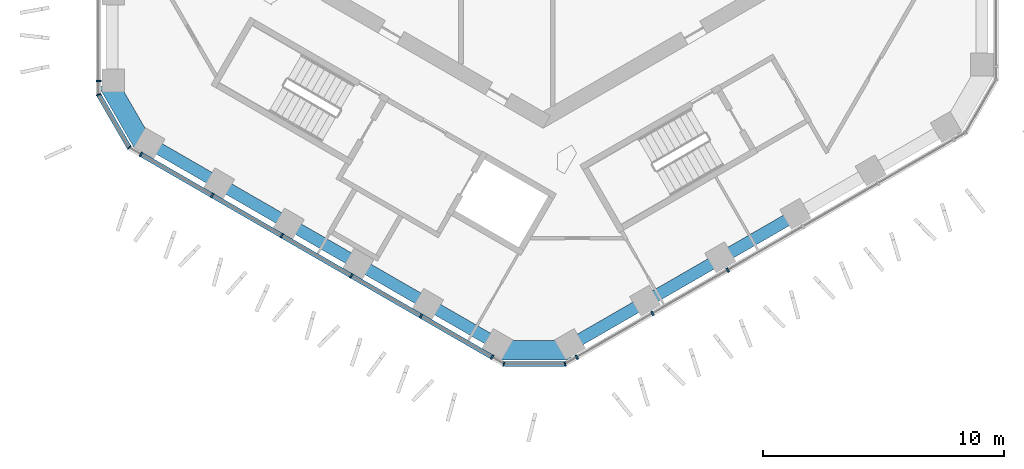
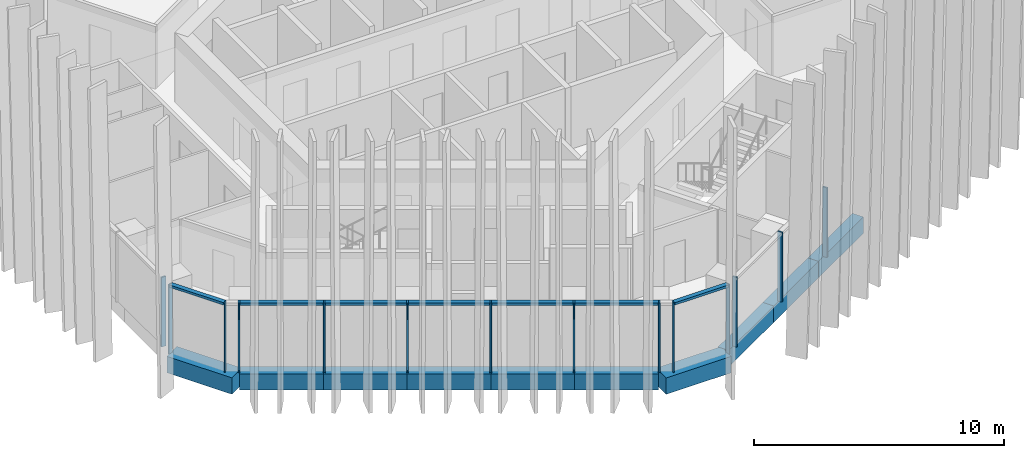
# One storey, part 2 of 21: 17 members, 10 beams, 5 elements without a shape of their own.
"""IFC4 building model written with IfcOpenShell, lengths in metres."""

from ifc_helpers import new_model, si_unit, direction, frame, origin, origin_2d, place, context, subcontext, project, spatial, rectangle, extrude, material, layer, layer_set, material_profile, profile_set, type_object, element, aggregate, save


model = new_model("IFC4")

# Units and contexts
model_context = context("Model", 3, precision=1e-05, world=origin(), true_north=direction((0.0, 1.0)))
body_context = subcontext(model_context, "Body", "Model", "MODEL_VIEW")
ifc_project = project(units=[si_unit("LENGTHUNIT", "METRE"), si_unit("AREAUNIT", "SQUARE_METRE"), si_unit("VOLUMEUNIT", "CUBIC_METRE"), si_unit("PLANEANGLEUNIT", "RADIAN"), si_unit("MASSUNIT", "GRAM", prefix="KILO")], contexts=[model_context])

# Site, building, storey
site_placement = place(None, origin())
site = spatial("IfcSite", under=ifc_project, at=site_placement, CompositionType="ELEMENT")
building_placement = place(site_placement, origin())
building = spatial("IfcBuilding", under=site, at=building_placement, Name="Ayvan Gate Tower", CompositionType="ELEMENT")
storey_placement = place(building_placement, frame((0.0, 0.0, 173.10009765625)))
storey = spatial("IfcBuildingStorey", under=building, at=storey_placement, Name="L46", CompositionType="ELEMENT", Elevation=173.10009765625)

# Beams
ifc_material_1 = material(Name="Concrete C40/50", Category="concrete")
ifc_material_profile_1 = material_profile(ifc_material_1, rectangle(XDim=0.800048828125, YDim=0.800048828125, at=origin_2d()), Name="RC 800x800")
ifc_profile_set_1 = profile_set([ifc_material_profile_1], Name="Concrete C40/50")
beam_type_1 = type_object("IfcBeamType", Name="Corner spandrel beam RC 800x800 C40/50", PredefinedType="BEAM", material=ifc_profile_set_1)
for number, where, z_axis, x_axis, name in (
    (1, (-18.0341796875, -9.075927734375, -0.75), (0.499990139034, -0.866031096941, 0.0), (0.866031096941, 0.499990139034, 0.0), "SB-L46-24"),
    (2, (-1.843017578125, -20.156005859375, -0.75), (1.0, 0.0, 0.0), (0.0, 1.0, 0.0), "SB-L46-30"),
):
    element("IfcBeam", number, at=place(storey_placement, frame(where, z_axis=z_axis, x_axis=x_axis)), inside=storey, type_object=beam_type_1, Name=name, PredefinedType="BEAM", context=body_context, shape_type="SweptSolid", body=[
        extrude(rectangle(XDim=0.800048828125, YDim=0.800048828125, at=origin_2d()), origin(), (0.0, 0.0, 1.0), 3.0),
    ])
ifc_material_profile_2 = material_profile(ifc_material_1, rectangle(XDim=0.5, YDim=0.800048828125, at=origin_2d()), Name="RC 500x800")
ifc_profile_set_2 = profile_set([ifc_material_profile_2], Name="Concrete C40/50")
beam_type_2 = type_object("IfcBeamType", Name="Spandrel beam RC 500x800 C40/50", PredefinedType="BEAM", material=ifc_profile_set_2)
for number, where, z_axis, x_axis, name in (
    (3, (-16.343505859375, -11.56396484375, -0.75), (0.866004689915, -0.500035875758, 0.0), (0.500035875758, 0.866004689915, 0.0), "SB-L46-25"),
    (4, (-13.443359375, -13.238525390625, -0.75), (0.866036258409, -0.499981198768, 0.0), (0.499981198768, 0.866036258409, 0.0), "SB-L46-26"),
):
    element("IfcBeam", number, at=place(storey_placement, frame(where, z_axis=z_axis, x_axis=x_axis)), inside=storey, type_object=beam_type_2, Name=name, PredefinedType="BEAM", context=body_context, shape_type="SweptSolid", body=[
        extrude(rectangle(XDim=0.5, YDim=0.800048828125, at=origin_2d()), origin(), (0.0, 0.0, 1.0), 3.348876953125),
    ])
beam_1_placement = place(storey_placement, frame((-10.543212890625, -14.912841796875, -0.75), z_axis=(0.86601803185, -0.500012768347, 0.0), x_axis=(0.500012768347, 0.86601803185, 0.0)))
element("IfcBeam", 5, at=beam_1_placement, inside=storey, type_object=beam_type_2, Name="SB-L46-27", PredefinedType="BEAM", context=body_context, shape_type="SweptSolid", body=[
    extrude(rectangle(XDim=0.5, YDim=0.800048828125, at=origin_2d()), origin(), (0.0, 0.0, 1.0), 3.3486328125),
])
for number, where, z_axis, x_axis, name in (
    (6, (-7.643310546875, -16.587158203125, -0.75), (0.866036258409, -0.499981198768, 0.0), (0.499981198768, 0.866036258409, 0.0), "SB-L46-28"),
    (7, (-4.7431640625, -18.261474609375, -0.75), (0.866004689915, -0.500035875758, 0.0), (0.500035875758, 0.866004689915, 0.0), "SB-L46-29"),
):
    element("IfcBeam", number, at=place(storey_placement, frame(where, z_axis=z_axis, x_axis=x_axis)), inside=storey, type_object=beam_type_2, Name=name, PredefinedType="BEAM", context=body_context, shape_type="SweptSolid", body=[
        extrude(rectangle(XDim=0.5, YDim=0.800048828125, at=origin_2d()), origin(), (0.0, 0.0, 1.0), 3.348876953125),
    ])
for number, where, z_axis, x_axis, name in (
    (8, (1.156982421875, -19.93603515625, -0.75), (0.866026881282, 0.499997440891, 0.0), (-0.499997440891, 0.866026881282, 0.0), "SB-L46-31"),
    (9, (4.262939453125, -18.142822265625, -0.75), (0.866026881282, 0.499997440891, 0.0), (-0.499997440891, 0.866026881282, 0.0), "SB-L46-32"),
):
    element("IfcBeam", number, at=place(storey_placement, frame(where, z_axis=z_axis, x_axis=x_axis)), inside=storey, type_object=beam_type_2, Name=name, PredefinedType="BEAM", context=body_context, shape_type="SweptSolid", body=[
        extrude(rectangle(XDim=0.5, YDim=0.800048828125, at=origin_2d()), origin(), (0.0, 0.0, 1.0), 3.58642578125),
    ])
beam_2_placement = place(storey_placement, frame((7.368896484375, -16.349609375, -0.75), z_axis=(0.866009861658, 0.500026918786, 0.0), x_axis=(-0.500026918786, 0.866009861658, 0.0)))
element("IfcBeam", 10, at=beam_2_placement, inside=storey, type_object=beam_type_2, Name="SB-L46-33", PredefinedType="BEAM", context=body_context, shape_type="SweptSolid", body=[
    extrude(rectangle(XDim=0.5, YDim=0.800048828125, at=origin_2d()), origin(), (0.0, 0.0, 1.0), 3.586181640625),
])

# Curtain wall, member
ifc_material_2 = material(Name="Bronze anodised aluminium", Category="aluminium")
ifc_layer_1 = layer(ifc_material_2, 0.199951171875)
ifc_layer_set_1 = layer_set([ifc_layer_1], Name="Bronze anodised aluminium")
curtain_wall_type_1 = type_object("IfcCurtainWallType", Name="Stick curtain wall CW-2", PredefinedType="NOTDEFINED", material=ifc_layer_set_1)
curtain_wall_1_placement = place(storey_placement, origin())
curtain_wall_1 = element("IfcCurtainWall", 11, at=curtain_wall_1_placement, inside=storey, type_object=curtain_wall_type_1, Name="Stick curtain wall CW-2 L46", PredefinedType="NOTDEFINED")
ifc_material_profile_3 = material_profile(ifc_material_2, rectangle(XDim=0.199951171875, YDim=0.070068359375, at=origin_2d()), Name="Stick curtain wall CW-2 mullion 200 x 70")
ifc_profile_set_3 = profile_set([ifc_material_profile_3], Name="Bronze anodised aluminium")
member_type_1 = type_object("IfcMemberType", Name="Stick curtain wall CW-2 mullion 200 x 70", PredefinedType="MULLION", material=ifc_profile_set_3)
member_1_placement = place(storey_placement, frame((-18.405517578125, -9.01416015625, 0.0), z_axis=(0.0, 0.0, 1.0), x_axis=(-1.0, 0.0, 0.0)))
member_1 = element("IfcMember", 12, at=member_1_placement, type_object=member_type_1, Name="CW-2 mullion 6", PredefinedType="MULLION", context=body_context, shape_type="SweptSolid", body=[
    extrude(rectangle(XDim=0.199951171875, YDim=0.070068359375, at=origin_2d()), origin(), (0.0, 0.0, 1.0), 3.39990234375),
])
aggregate(curtain_wall_1, [member_1])

# Curtain wall, members
curtain_wall_2_placement = place(storey_placement, origin())
curtain_wall_2 = element("IfcCurtainWall", 13, at=curtain_wall_2_placement, inside=storey, type_object=curtain_wall_type_1, Name="Stick curtain wall CW-2 L46", PredefinedType="NOTDEFINED")
member_2_placement = place(storey_placement, frame((-16.653076171875, -12.04931640625, 0.0), z_axis=(0.0, 0.0, 1.0), x_axis=(-0.5, -0.866025403784, 0.0)))
member_2 = element("IfcMember", 14, at=member_2_placement, type_object=member_type_1, Name="CW-2 mullion 1", PredefinedType="MULLION", context=body_context, shape_type="SweptSolid", body=[
    extrude(rectangle(XDim=0.199951171875, YDim=0.070068359375, at=origin_2d()), origin(), (0.0, 0.0, 1.0), 3.39990234375),
])
member_3_placement = place(storey_placement, frame((-13.705322265625, -13.751220703125, 0.0), z_axis=(0.0, 0.0, 1.0), x_axis=(-0.5, -0.866025403784, 0.0)))
member_3 = element("IfcMember", 15, at=member_3_placement, type_object=member_type_1, Name="CW-2 mullion 2", PredefinedType="MULLION", context=body_context, shape_type="SweptSolid", body=[
    extrude(rectangle(XDim=0.199951171875, YDim=0.070068359375, at=origin_2d()), origin(), (0.0, 0.0, 1.0), 3.39990234375),
])
member_4_placement = place(storey_placement, frame((-10.822265625, -15.415771484375, 0.0), z_axis=(0.0, 0.0, 1.0), x_axis=(-0.5, -0.866025403784, 0.0)))
member_4 = element("IfcMember", 16, at=member_4_placement, type_object=member_type_1, Name="CW-2 mullion 3", PredefinedType="MULLION", context=body_context, shape_type="SweptSolid", body=[
    extrude(rectangle(XDim=0.199951171875, YDim=0.070068359375, at=origin_2d()), origin(), (0.0, 0.0, 1.0), 3.39990234375),
])
member_5_placement = place(storey_placement, frame((-7.939208984375, -17.080322265625, 0.0), z_axis=(0.0, 0.0, 1.0), x_axis=(-0.5, -0.866025403784, 0.0)))
member_5 = element("IfcMember", 17, at=member_5_placement, type_object=member_type_1, Name="CW-2 mullion 4", PredefinedType="MULLION", context=body_context, shape_type="SweptSolid", body=[
    extrude(rectangle(XDim=0.199951171875, YDim=0.070068359375, at=origin_2d()), origin(), (0.0, 0.0, 1.0), 3.39990234375),
])
member_6_placement = place(storey_placement, frame((-5.05615234375, -18.74462890625, 0.0), z_axis=(0.0, 0.0, 1.0), x_axis=(-0.5, -0.866025403784, 0.0)))
member_6 = element("IfcMember", 18, at=member_6_placement, type_object=member_type_1, Name="CW-2 mullion 5", PredefinedType="MULLION", context=body_context, shape_type="SweptSolid", body=[
    extrude(rectangle(XDim=0.199951171875, YDim=0.070068359375, at=origin_2d()), origin(), (0.0, 0.0, 1.0), 3.39990234375),
])
member_7_placement = place(storey_placement, frame((-2.1083984375, -20.44677734375, 0.0), z_axis=(0.0, 0.0, 1.0), x_axis=(-0.5, -0.866025403784, 0.0)))
member_7 = element("IfcMember", 19, at=member_7_placement, type_object=member_type_1, Name="CW-2 mullion 6", PredefinedType="MULLION", context=body_context, shape_type="SweptSolid", body=[
    extrude(rectangle(XDim=0.199951171875, YDim=0.070068359375, at=origin_2d()), origin(), (0.0, 0.0, 1.0), 3.39990234375),
])

curtain_wall_3_placement = place(storey_placement, origin())
curtain_wall_3 = element("IfcCurtainWall", 20, at=curtain_wall_3_placement, inside=storey, type_object=curtain_wall_type_1, Name="Stick curtain wall CW-2 L46", PredefinedType="NOTDEFINED")
member_8_placement = place(storey_placement, frame((1.396240234375, -20.44677734375, 0.0), z_axis=(0.0, 0.0, 1.0), x_axis=(0.5, -0.866025403784, 0.0)))
member_8 = element("IfcMember", 21, at=member_8_placement, type_object=member_type_1, Name="CW-2 mullion 1", PredefinedType="MULLION", context=body_context, shape_type="SweptSolid", body=[
    extrude(rectangle(XDim=0.199951171875, YDim=0.070068359375, at=origin_2d()), origin(), (0.0, 0.0, 1.0), 3.39990234375),
])
member_9_placement = place(storey_placement, frame((4.53125, -18.63671875, 0.0), z_axis=(0.0, 0.0, 1.0), x_axis=(0.5, -0.866025403784, 0.0)))
member_9 = element("IfcMember", 22, at=member_9_placement, type_object=member_type_1, Name="CW-2 mullion 2", PredefinedType="MULLION", context=body_context, shape_type="SweptSolid", body=[
    extrude(rectangle(XDim=0.199951171875, YDim=0.070068359375, at=origin_2d()), origin(), (0.0, 0.0, 1.0), 3.39990234375),
])
member_10_placement = place(storey_placement, frame((7.6455078125, -16.838623046875, 0.0), z_axis=(0.0, 0.0, 1.0), x_axis=(0.5, -0.866025403784, 0.0)))
member_10 = element("IfcMember", 23, at=member_10_placement, type_object=member_type_1, Name="CW-2 mullion 3", PredefinedType="MULLION", context=body_context, shape_type="SweptSolid", body=[
    extrude(rectangle(XDim=0.199951171875, YDim=0.070068359375, at=origin_2d()), origin(), (0.0, 0.0, 1.0), 3.39990234375),
])
aggregate(curtain_wall_3, [member_8, member_9, member_10])

# Member
ifc_material_profile_4 = material_profile(ifc_material_2, rectangle(XDim=0.199951171875, YDim=0.1201171875, at=origin_2d()), Name="Stick curtain wall CW-2 transom 200 x 120")
ifc_profile_set_4 = profile_set([ifc_material_profile_4], Name="Bronze anodised aluminium")
member_type_2 = type_object("IfcMemberType", Name="Stick curtain wall CW-2 transom 200 x 120", PredefinedType="USERDEFINED", material=ifc_profile_set_4)
member_11_placement = place(storey_placement, frame((-16.653076171875, -12.04931640625, 3.33984375), z_axis=(0.866023152126, -0.500003899967, 0.0), x_axis=(0.500003899967, 0.866023152126, 0.0)))
member_11 = element("IfcMember", 24, at=member_11_placement, type_object=member_type_2, Name="CW-2 transom 1", ObjectType="TRANSOM", PredefinedType="USERDEFINED", context=body_context, shape_type="SweptSolid", body=[
    extrude(rectangle(XDim=0.199951171875, YDim=0.1201171875, at=origin_2d()), origin(), (0.0, 0.0, 1.0), 16.794677734375),
])

aggregate(curtain_wall_2, [member_2, member_3, member_4, member_5, member_6, member_7, member_11])

# Curtain wall, members
ifc_layer_2 = layer(ifc_material_2, 0.199951171875)
ifc_layer_set_2 = layer_set([ifc_layer_2], Name="Bronze anodised aluminium")
curtain_wall_type_2 = type_object("IfcCurtainWallType", Name="Stick curtain wall CW-6", PredefinedType="NOTDEFINED", material=ifc_layer_set_2)
curtain_wall_4_placement = place(storey_placement, origin())
curtain_wall_4 = element("IfcCurtainWall", 25, at=curtain_wall_4_placement, inside=storey, type_object=curtain_wall_type_2, Name="Stick curtain wall CW-6 L46", PredefinedType="NOTDEFINED")
ifc_material_profile_5 = material_profile(ifc_material_2, rectangle(XDim=0.199951171875, YDim=0.050048828125, at=origin_2d()), Name="Stick curtain wall CW-6 mullion 200 x 50")
ifc_profile_set_5 = profile_set([ifc_material_profile_5], Name="Bronze anodised aluminium")
member_type_3 = type_object("IfcMemberType", Name="Stick curtain wall CW-6 mullion 200 x 50", PredefinedType="MULLION", material=ifc_profile_set_5)
member_12_placement = place(storey_placement, frame((-18.405517578125, -9.57421875, 0.0), z_axis=(0.0, 0.0, 1.0), x_axis=(-0.965925826289, -0.258819045103, 0.0)))
member_12 = element("IfcMember", 26, at=member_12_placement, type_object=member_type_3, Name="CW-6 mullion 2", PredefinedType="MULLION", context=body_context, shape_type="SweptSolid", body=[
    extrude(rectangle(XDim=0.199951171875, YDim=0.050048828125, at=origin_2d()), origin(), (0.0, 0.0, 1.0), 3.39990234375),
])
member_13_placement = place(storey_placement, frame((-17.13818359375, -11.769287109375, 0.0), z_axis=(0.0, 0.0, 1.0), x_axis=(-0.707106781187, -0.707106781187, 0.0)))
member_13 = element("IfcMember", 27, at=member_13_placement, type_object=member_type_3, Name="CW-6 mullion 3", PredefinedType="MULLION", context=body_context, shape_type="SweptSolid", body=[
    extrude(rectangle(XDim=0.199951171875, YDim=0.050048828125, at=origin_2d()), origin(), (0.0, 0.0, 1.0), 3.39990234375),
])

curtain_wall_5_placement = place(storey_placement, origin())
curtain_wall_5 = element("IfcCurtainWall", 28, at=curtain_wall_5_placement, inside=storey, type_object=curtain_wall_type_2, Name="Stick curtain wall CW-6 L46", PredefinedType="NOTDEFINED")
member_14_placement = place(storey_placement, frame((-1.623291015625, -20.726806640625, 0.0), z_axis=(0.0, 0.0, 1.0), x_axis=(-0.258819045103, -0.965925826289, 0.0)))
member_14 = element("IfcMember", 29, at=member_14_placement, type_object=member_type_3, Name="CW-6 mullion 2", PredefinedType="MULLION", context=body_context, shape_type="SweptSolid", body=[
    extrude(rectangle(XDim=0.199951171875, YDim=0.050048828125, at=origin_2d()), origin(), (0.0, 0.0, 1.0), 3.39990234375),
])
member_15_placement = place(storey_placement, frame((0.9111328125, -20.726806640625, 0.0), z_axis=(0.0, 0.0, 1.0), x_axis=(0.258819045103, -0.965925826289, 0.0)))
member_15 = element("IfcMember", 30, at=member_15_placement, type_object=member_type_3, Name="CW-6 mullion 3", PredefinedType="MULLION", context=body_context, shape_type="SweptSolid", body=[
    extrude(rectangle(XDim=0.199951171875, YDim=0.050048828125, at=origin_2d()), origin(), (0.0, 0.0, 1.0), 3.39990234375),
])

# Member
ifc_material_profile_6 = material_profile(ifc_material_2, rectangle(XDim=0.199951171875, YDim=0.1201171875, at=origin_2d()), Name="Stick curtain wall CW-6 transom 200 x 120")
ifc_profile_set_6 = profile_set([ifc_material_profile_6], Name="Bronze anodised aluminium")
member_type_4 = type_object("IfcMemberType", Name="Stick curtain wall CW-6 transom 200 x 120", PredefinedType="USERDEFINED", material=ifc_profile_set_6)
member_16_placement = place(storey_placement, frame((-18.39306640625, -9.595947265625, 3.33984375), z_axis=(0.500059846627, -0.865990848561, 0.0), x_axis=(0.865990848561, 0.500059846627, 0.0)))
member_16 = element("IfcMember", 31, at=member_16_placement, type_object=member_type_4, Name="CW-6 transom 2", ObjectType="TRANSOM", PredefinedType="USERDEFINED", context=body_context, shape_type="SweptSolid", body=[
    extrude(rectangle(XDim=0.199951171875, YDim=0.1201171875, at=origin_2d()), origin(), (0.0, 0.0, 1.0), 2.484619140625),
])

aggregate(curtain_wall_4, [member_12, member_13, member_16])

member_17_placement = place(storey_placement, frame((-1.598388671875, -20.726806640625, 3.33984375), z_axis=(1.0, 0.0, 0.0), x_axis=(0.0, 1.0, 0.0)))
member_17 = element("IfcMember", 32, at=member_17_placement, type_object=member_type_4, Name="CW-6 transom 2", ObjectType="TRANSOM", PredefinedType="USERDEFINED", context=body_context, shape_type="SweptSolid", body=[
    extrude(rectangle(XDim=0.199951171875, YDim=0.1201171875, at=origin_2d()), origin(), (0.0, 0.0, 1.0), 2.484619140625),
])

aggregate(curtain_wall_5, [member_14, member_15, member_17])

save(model, "model.ifc")
